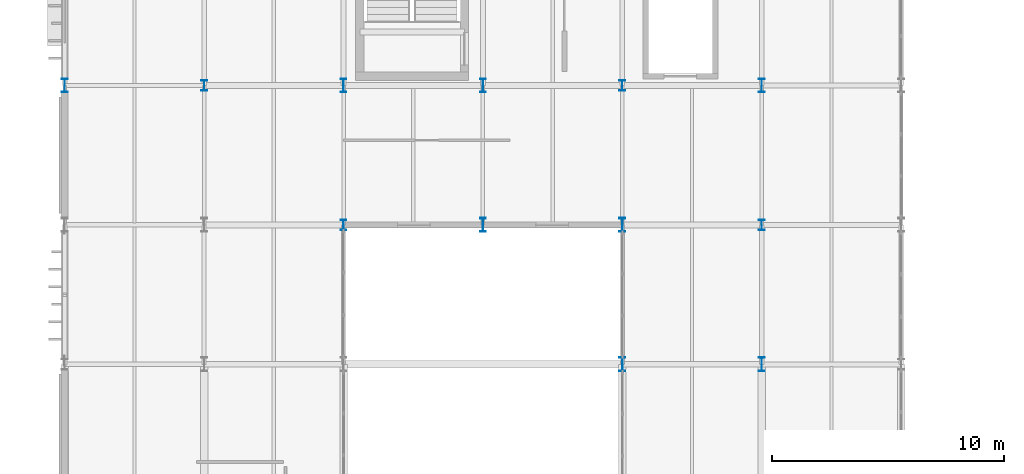
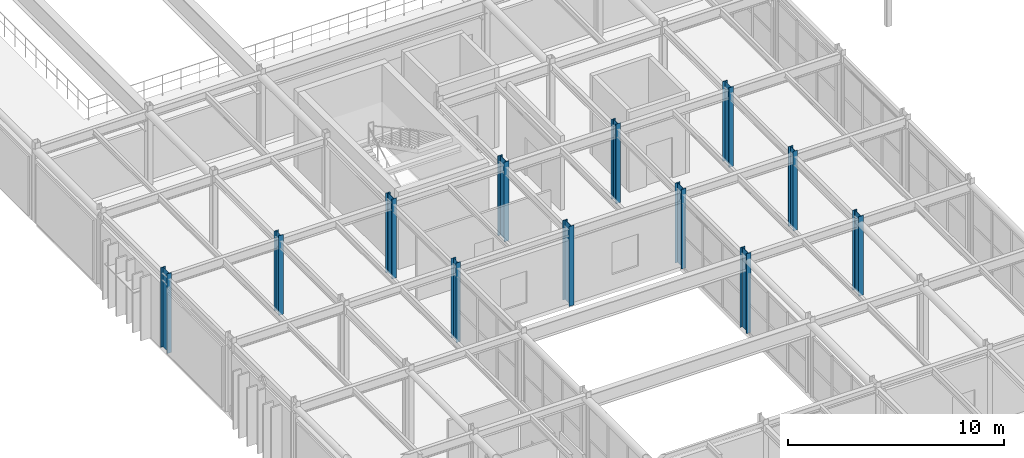
# One storey, part 5 of 96: 12 columns.
"""IFC4 building model written with IfcOpenShell, lengths in metres."""

from ifc_helpers import new_model, si_unit, direction, frame, origin, origin_2d, place, context, subcontext, project, spatial, i_section, extrude, material, material_profile, profile_set, type_object, element, save


model = new_model("IFC4")

# Units and contexts
model_context = context("Model", 3, precision=1e-05, world=origin(), true_north=direction((0.0, 1.0)))
body_context = subcontext(model_context, "Body", "Model", "MODEL_VIEW")
ifc_project = project(units=[si_unit("LENGTHUNIT", "METRE"), si_unit("AREAUNIT", "SQUARE_METRE"), si_unit("VOLUMEUNIT", "CUBIC_METRE"), si_unit("PLANEANGLEUNIT", "RADIAN"), si_unit("MASSUNIT", "GRAM", prefix="KILO")], contexts=[model_context])

# Site, building, storey
site_placement = place(None, origin())
site = spatial("IfcSite", under=ifc_project, at=site_placement, CompositionType="ELEMENT")
building_placement = place(site_placement, origin())
building = spatial("IfcBuilding", under=site, at=building_placement, Name="Varnakota Square Police Headquarters", CompositionType="ELEMENT")
storey_placement = place(building_placement, frame((0.0, 0.0, 4.800048828125)))
storey = spatial("IfcBuildingStorey", under=building, at=storey_placement, Name="L01", CompositionType="ELEMENT", Elevation=4.800048828125)

# Columns
ifc_material = material(Name="Steel IS 2062 Grade 350", Category="steel")
ifc_material_profile_1 = material_profile(ifc_material, i_section(OverallWidth=0.25, OverallDepth=0.449951171875, WebThickness=0.01123046875, FlangeThickness=0.013671875, FilletRadius=0.014892578125, at=origin_2d()), Name="ISHB 450")
ifc_profile_set_1 = profile_set([ifc_material_profile_1], Name="Steel IS 2062 Grade 350")
column_type_1 = type_object("IfcColumnType", Name="COL-ISHB450", PredefinedType="COLUMN", material=ifc_profile_set_1)
for number, where, z_axis, x_axis, name in (
    (1, (12.0, 63.0, 0.0), (0.0, 0.0, 1.0), (1.0, 0.0, 0.0), "Column X0120-Y0630 L01"),
    (2, (18.0, 57.0, 0.0), (0.0, 0.0, 1.0), (1.0, 0.0, 0.0), "Column X0180-Y0570 L01"),
    (3, (30.0, 63.0, 0.0), (0.0, 0.0, 1.0), (1.0, 0.0, 0.0), "Column X0300-Y0630 L01"),
    (4, (36.0, 57.0, 0.0), (0.0, 0.0, 1.0), (1.0, 0.0, 0.0), "Column X0360-Y0570 L01"),
):
    element("IfcColumn", number, at=place(storey_placement, frame(where, z_axis=z_axis, x_axis=x_axis)), inside=storey, type_object=column_type_1, Name=name, PredefinedType="COLUMN", context=body_context, shape_type="SweptSolid", body=[
        extrude(i_section(OverallWidth=0.25, OverallDepth=0.449951171875, WebThickness=0.01123046875, FlangeThickness=0.013671875, FilletRadius=0.014892578125, at=origin_2d()), origin(), (0.0, 0.0, 1.0), 4.5),
    ])
ifc_material_profile_2 = material_profile(ifc_material, i_section(OverallWidth=0.25, OverallDepth=0.60009765625, WebThickness=0.01171875, FlangeThickness=0.023681640625, FilletRadius=0.01708984375, at=origin_2d()), Name="ISWB 600")
ifc_profile_set_2 = profile_set([ifc_material_profile_2], Name="Steel IS 2062 Grade 350")
column_type_2 = type_object("IfcColumnType", Name="COL-ISWB600", PredefinedType="COLUMN", material=ifc_profile_set_2)
for number, where, z_axis, x_axis, name in (
    (5, (6.0, 63.0, 0.0), (0.0, 0.0, 1.0), (1.0, 0.0, 0.0), "Column X0060-Y0630 L01"),
    (6, (18.0, 63.0, 0.0), (0.0, 0.0, 1.0), (1.0, 0.0, 0.0), "Column X0180-Y0630 L01"),
    (7, (24.0, 57.0, 0.0), (0.0, 0.0, 1.0), (1.0, 0.0, 0.0), "Column X0240-Y0570 L01"),
    (8, (24.0, 63.0, 0.0), (0.0, 0.0, 1.0), (1.0, 0.0, 0.0), "Column X0240-Y0630 L01"),
    (9, (30.0, 51.0, 0.0), (0.0, 0.0, 1.0), (1.0, 0.0, 0.0), "Column X0300-Y0510 L01"),
    (10, (30.0, 57.0, 0.0), (0.0, 0.0, 1.0), (1.0, 0.0, 0.0), "Column X0300-Y0570 L01"),
    (11, (36.0, 51.0, 0.0), (0.0, 0.0, 1.0), (1.0, 0.0, 0.0), "Column X0360-Y0510 L01"),
    (12, (36.0, 63.0, 0.0), (0.0, 0.0, 1.0), (1.0, 0.0, 0.0), "Column X0360-Y0630 L01"),
):
    element("IfcColumn", number, at=place(storey_placement, frame(where, z_axis=z_axis, x_axis=x_axis)), inside=storey, type_object=column_type_2, Name=name, PredefinedType="COLUMN", context=body_context, shape_type="SweptSolid", body=[
        extrude(i_section(OverallWidth=0.25, OverallDepth=0.60009765625, WebThickness=0.01171875, FlangeThickness=0.023681640625, FilletRadius=0.01708984375, at=origin_2d()), origin(), (0.0, 0.0, 1.0), 4.5),
    ])

save(model, "model.ifc")
